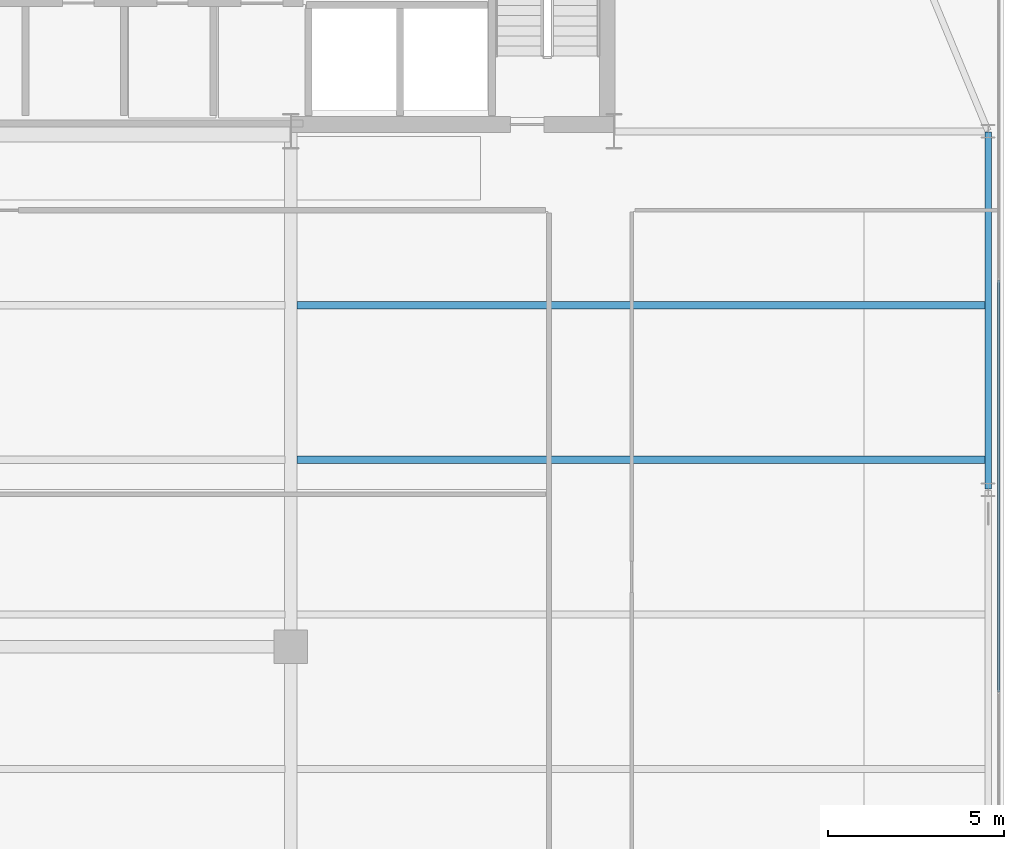
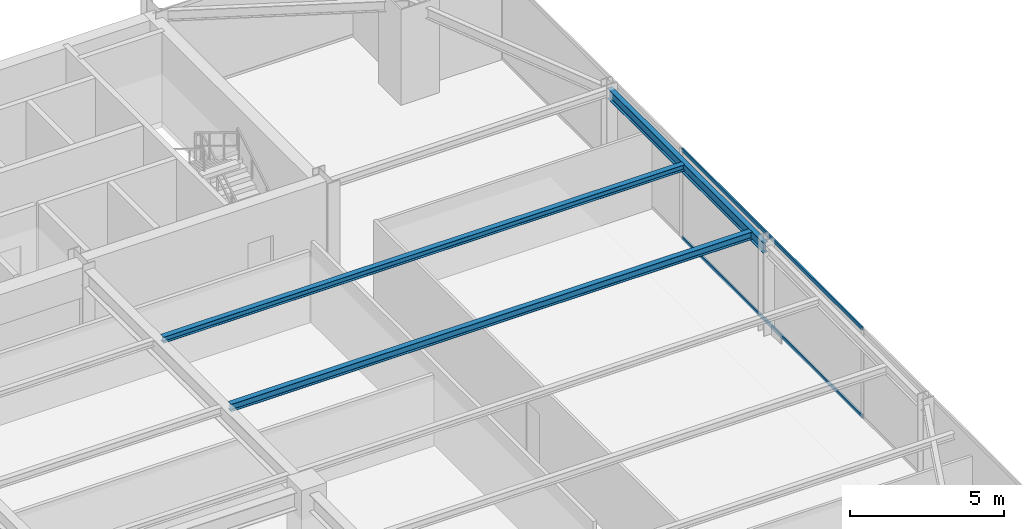
# One storey, part 19 of 34: 3 beams, 2 members, 1 element without a shape of its own.
"""IFC4 building model written with IfcOpenShell, lengths in metres."""

import ifcopenshell
import ifcopenshell.guid

model = None  # the IFC model being written
_history = None  # IfcOwnerHistory: only IFC2X3 demands one
_inside = {}  # id of a spatial element -> (the spatial element, [elements in it])
_under = {}  # id of a project, library or spatial element -> (it, [spatial elements below it])
_declared = {}  # id of a project -> (the project, [libraries it declares])
_typed = {}  # id of a type object -> (the type object, [elements of that type])
_made_of = {}  # id of a material, layer set ... -> (it, [elements and type objects made of it])


def new_model(schema):
    """Start an empty IFC model of exactly this schema.

    Asked for "IFC4X3", IfcOpenShell would pick the latest addendum, in which some entities
    have other attributes; the version numbers below select the first issue.
    IFC2X3 requires an IfcOwnerHistory on every rooted entity: one is made here for all.
    """
    global model, _history
    if schema == "IFC4X3":
        model = ifcopenshell.file(schema_version=(4, 3, 0, 0))
    else:
        model = ifcopenshell.file(schema=schema)
    _inside.clear()
    _under.clear()
    _declared.clear()
    _typed.clear()
    _made_of.clear()
    _history = None
    if model.schema == "IFC2X3":
        org = make("IfcOrganization", Name="unknown")
        user = make(
            "IfcPersonAndOrganization",
            ThePerson=make("IfcPerson", FamilyName="unknown"),
            TheOrganization=org,
        )
        app = make(
            "IfcApplication",
            ApplicationDeveloper=org,
            Version="unknown",
            ApplicationFullName="unknown",
            ApplicationIdentifier="unknown",
        )
        _history = make(
            "IfcOwnerHistory",
            OwningUser=user,
            OwningApplication=app,
            ChangeAction="ADDED",
            CreationDate=0,
        )
    return model


def make(cls, **values):
    """One entity of the class cls with the attributes given. An attribute that is None is left unset."""
    return model.create_entity(
        cls, **{name: value for name, value in values.items() if value is not None}
    )


def rooted(cls, **values):
    """An entity with a GlobalId (a new one), such as an element, a storey or a relation."""
    return make(cls, GlobalId=ifcopenshell.guid.new(), OwnerHistory=_history, **values)


def si_unit(unit_type, name, prefix=None):
    """IfcSIUnit, for example si_unit("LENGTHUNIT", "METRE", prefix="MILLI")."""
    return make("IfcSIUnit", UnitType=unit_type, Prefix=prefix, Name=name)


def assignment(units):
    """IfcUnitAssignment: the units of a project."""
    return None if units is None else make("IfcUnitAssignment", Units=units)


def point(xyz):
    """IfcCartesianPoint."""
    return None if xyz is None else make("IfcCartesianPoint", Coordinates=xyz)


def direction(xyz):
    """IfcDirection."""
    return None if xyz is None else make("IfcDirection", DirectionRatios=xyz)


def frame(location, z_axis=None, x_axis=None):
    """IfcAxis2Placement3D, a coordinate frame: its origin and axes. An axis left out is left unset."""
    return make(
        "IfcAxis2Placement3D",
        Location=point(location),
        Axis=direction(z_axis),
        RefDirection=direction(x_axis),
    )


def frame_2d(location, x_axis=None):
    """IfcAxis2Placement2D, a coordinate frame in the plane: its origin and x axis."""
    return make(
        "IfcAxis2Placement2D", Location=point(location), RefDirection=direction(x_axis)
    )


def origin():
    """The frame at (0, 0, 0) with its axes left unset."""
    return frame((0.0, 0.0, 0.0))


def origin_2d():
    """The frame at (0, 0) in the plane with its x axis left unset."""
    return frame_2d((0.0, 0.0))


def place(relative_to, where):
    """IfcLocalPlacement: puts the frame where relative to a parent placement (None: the world)."""
    return make(
        "IfcLocalPlacement", PlacementRelTo=relative_to, RelativePlacement=where
    )


def context(
    kind, dimensions, precision=None, world=None, true_north=None, identifier=None
):
    """IfcGeometricRepresentationContext, for example the 3D "Model" context."""
    return make(
        "IfcGeometricRepresentationContext",
        ContextIdentifier=identifier,
        ContextType=kind,
        CoordinateSpaceDimension=dimensions,
        Precision=precision,
        WorldCoordinateSystem=world,
        TrueNorth=true_north,
    )


def subcontext(parent, identifier, kind, view, scale=None):
    """IfcGeometricRepresentationSubContext, for example "Body" below "Model"."""
    return make(
        "IfcGeometricRepresentationSubContext",
        ContextIdentifier=identifier,
        ContextType=kind,
        ParentContext=parent,
        TargetScale=scale,
        TargetView=view,
    )


def project(units=None, contexts=None):
    """IfcProject with its units and contexts."""
    return rooted(
        "IfcProject",
        Name="project",
        RepresentationContexts=contexts,
        UnitsInContext=assignment(units),
    )


def spatial(cls, under=None, at=None, **own):
    """A site, building, storey or space (cls), placed at a placement, below another one or the project."""
    s = rooted(cls, ObjectPlacement=at, **own)
    if under is not None:
        _under.setdefault(under.id(), (under, []))[1].append(s)
    return s


def profile(cls, at=None, kind="AREA", **sizes):
    """A parametric profile (cls). Its sizes go by their IFC names, for example OverallWidth=200.0."""
    return make(cls, ProfileType=kind, Position=at, **sizes)


def hollow_rectangle(**sizes):
    """IfcRectangleHollowProfileDef."""
    return profile("IfcRectangleHollowProfileDef", **sizes)


def i_section(**sizes):
    """IfcIShapeProfileDef."""
    return profile("IfcIShapeProfileDef", **sizes)


def extrude(swept, where, along, depth):
    """IfcExtrudedAreaSolid: the profile swept, set in the frame where, extruded along a direction by depth."""
    return make(
        "IfcExtrudedAreaSolid",
        SweptArea=swept,
        Position=where,
        ExtrudedDirection=direction(along),
        Depth=depth,
    )


def shape(context_of_items, identifier, shape_type, items):
    """IfcShapeRepresentation: the items that make up one representation, for example the "Body"."""
    return make(
        "IfcShapeRepresentation",
        ContextOfItems=context_of_items,
        RepresentationIdentifier=identifier,
        RepresentationType=shape_type,
        Items=items,
    )


def source(mapping_origin, context_of_items, identifier, shape_type, items):
    """IfcRepresentationMap: a shape defined once, which mapped items show again and again."""
    return make(
        "IfcRepresentationMap",
        MappingOrigin=mapping_origin,
        MappedRepresentation=shape(context_of_items, identifier, shape_type, items),
    )


def transform(
    local_origin,
    x_axis=None,
    y_axis=None,
    z_axis=None,
    scale=None,
    scale2=None,
    scale3=None,
    uniform=True,
):
    """IfcCartesianTransformationOperator3D, or its non-uniform kind. x_axis, y_axis, z_axis: its Axis1, 2, 3."""
    if uniform:
        return make(
            "IfcCartesianTransformationOperator3D",
            Axis1=direction(x_axis),
            Axis2=direction(y_axis),
            LocalOrigin=point(local_origin),
            Scale=scale,
            Axis3=direction(z_axis),
        )
    return make(
        "IfcCartesianTransformationOperator3DnonUniform",
        Axis1=direction(x_axis),
        Axis2=direction(y_axis),
        LocalOrigin=point(local_origin),
        Scale=scale,
        Axis3=direction(z_axis),
        Scale2=scale2,
        Scale3=scale3,
    )


def mapped(mapping_source, mapping_target):
    """IfcMappedItem: shows the shape of a source again, moved by a transform."""
    return make(
        "IfcMappedItem", MappingSource=mapping_source, MappingTarget=mapping_target
    )


def material(Name=None, Category=None):
    """IfcMaterial."""
    return make("IfcMaterial", Name=Name, Category=Category)


def layer(
    of_material, thickness, ventilated=None, Name=None, Category=None, Priority=None
):
    """IfcMaterialLayer: one layer of a wall or slab, of a material (None: an air gap)."""
    return make(
        "IfcMaterialLayer",
        Material=of_material,
        LayerThickness=thickness,
        IsVentilated=ventilated,
        Name=Name,
        Category=Category,
        Priority=Priority,
    )


def layer_set(layers, Name=None):
    """IfcMaterialLayerSet."""
    return make("IfcMaterialLayerSet", MaterialLayers=layers, LayerSetName=Name)


def material_profile(
    of_material, cross_section, Name=None, Category=None, Priority=None
):
    """IfcMaterialProfile: a cross section and its material."""
    return make(
        "IfcMaterialProfile",
        Name=Name,
        Material=of_material,
        Profile=cross_section,
        Priority=Priority,
        Category=Category,
    )


def profile_set(profiles, Name=None, composite=None):
    """IfcMaterialProfileSet."""
    return make(
        "IfcMaterialProfileSet",
        Name=Name,
        MaterialProfiles=profiles,
        CompositeProfile=composite,
    )


def made_of(thing, what):
    """Note that an element or type object is made of a material, layer set ...; save() writes the relation."""
    if what is not None:
        _made_of.setdefault(what.id(), (what, []))[1].append(thing)
    return thing


def type_object(cls, material=None, **own):
    """A type object (cls), such as IfcWallType, which elements share."""
    return made_of(rooted(cls, **own), material)


def type_shapes(of_type, sources):
    """Give a type object the sources (RepresentationMaps) that its elements show as mapped items."""
    of_type.RepresentationMaps = sources


def element(
    cls,
    number,
    at=None,
    inside=None,
    cuts=None,
    type_object=None,
    material=None,
    context=None,
    identifier="Body",
    shape_type=None,
    held_by="IfcProductDefinitionShape",
    body=None,
    shapes=None,
    **own,
):
    """One element of the class cls, such as IfcWall. Its Tag is "e" and its number.

    at: its placement. inside: the storey or other place that contains it. cuts: it is an
    opening in that element (IfcRelVoidsElement). A single representation is given by context,
    identifier, shape_type and body (its items); several are given by shapes. held_by: the class
    of the entity that holds the representations. save() writes the other relations.
    """
    e = rooted(cls, Tag="e%d" % number, ObjectPlacement=at, **own)
    if body is not None:
        shapes = [shape(context, identifier, shape_type, body)]
    if shapes is not None:
        e.Representation = make(held_by, Representations=shapes)
    if inside is not None:
        _inside.setdefault(inside.id(), (inside, []))[1].append(e)
    if cuts is not None:
        rooted(
            "IfcRelVoidsElement", RelatingBuildingElement=cuts, RelatedOpeningElement=e
        )
    if type_object is not None:
        _typed.setdefault(type_object.id(), (type_object, []))[1].append(e)
    return made_of(e, material)


def aggregate(whole, parts):
    """IfcRelAggregates: a whole, such as a stair, and the parts it consists of."""
    return rooted("IfcRelAggregates", RelatingObject=whole, RelatedObjects=parts)


def save(model, path):
    """Write the relations noted so far, then the file.

    IfcRelAggregates (storeys below a building ...), IfcRelContainedInSpatialStructure (elements
    in a storey), IfcRelDefinesByType, IfcRelAssociatesMaterial and IfcRelDeclares: one each for
    every whole, place, type object, material and project.
    """
    for whole, parts in _under.values():
        aggregate(whole, parts)
    for where, things in _inside.values():
        rooted(
            "IfcRelContainedInSpatialStructure",
            RelatedElements=things,
            RelatingStructure=where,
        )
    for kind, things in _typed.values():
        rooted("IfcRelDefinesByType", RelatedObjects=things, RelatingType=kind)
    for what, things in _made_of.values():
        rooted("IfcRelAssociatesMaterial", RelatedObjects=things, RelatingMaterial=what)
    for by, libraries in _declared.values():
        rooted("IfcRelDeclares", RelatingContext=by, RelatedDefinitions=libraries)
    model.write(path)


model = new_model("IFC4")

# Units and contexts
model_context = context("Model", 3, precision=1e-05, world=origin(), true_north=direction((0.0, 1.0)))
body_context = subcontext(model_context, "Body", "Model", "MODEL_VIEW")
ifc_project = project(units=[si_unit("LENGTHUNIT", "METRE"), si_unit("AREAUNIT", "SQUARE_METRE"), si_unit("VOLUMEUNIT", "CUBIC_METRE"), si_unit("PLANEANGLEUNIT", "RADIAN"), si_unit("MASSUNIT", "GRAM", prefix="KILO")], contexts=[model_context])

# Site, building, storey
site_placement = place(None, origin())
site = spatial("IfcSite", under=ifc_project, at=site_placement, CompositionType="ELEMENT")
building_placement = place(site_placement, origin())
building = spatial("IfcBuilding", under=site, at=building_placement, Name="Varnel Quay Broadcast Tower", CompositionType="ELEMENT")
storey_placement = place(building_placement, frame((0.0, 0.0, 110.60009765625)))
storey = spatial("IfcBuildingStorey", under=building, at=storey_placement, Name="L26", CompositionType="ELEMENT", Elevation=110.60009765625)

# Beams
ifc_material_1 = material(Name="Structural Steel CSA G40.21 350W", Category="steel")
ifc_material_profile_1 = material_profile(ifc_material_1, i_section(OverallWidth=0.180908203125, OverallDepth=0.4169921875, WebThickness=0.010986328125, FlangeThickness=0.018310546875, FilletRadius=0.011962890625, at=origin_2d()), Name="W410X85")
ifc_profile_set_1 = profile_set([ifc_material_profile_1], Name="Structural Steel CSA G40.21 350W")
beam_type_1 = type_object("IfcBeamType", Name="Beam_W410X85", PredefinedType="SPANDREL", material=ifc_profile_set_1)
shared_shape_1 = source(origin(), body_context, "Body", "SweptSolid", [
    extrude(i_section(OverallWidth=0.180908203125, OverallDepth=0.4169921875, WebThickness=0.010986328125, FlangeThickness=0.018310546875, FilletRadius=0.011962890625, at=origin_2d()), origin(), (0.0, 0.0, 1.0), 10.16015625),
])
type_shapes(beam_type_1, [shared_shape_1])
beam_1_placement = place(storey_placement, frame((63.050048828125, 25.419921875, 3.34130859375), z_axis=(0.0, 1.0, 0.0), x_axis=(-1.0, 0.0, 0.0)))
element("IfcBeam", 1, at=beam_1_placement, inside=storey, type_object=beam_type_1, Name="L26 East Spandrel TC-E2-TC-E3", PredefinedType="SPANDREL", context=body_context, shape_type="MappedRepresentation", body=[
    mapped(shared_shape_1, transform((0.0, 0.0, 0.0), x_axis=(1.0, 0.0, 0.0), y_axis=(0.0, 1.0, 0.0), z_axis=(0.0, 0.0, 1.0), scale=1.0)),
])
ifc_material_profile_2 = material_profile(ifc_material_1, i_section(OverallWidth=0.202880859375, OverallDepth=0.302978515625, WebThickness=0.007568359375, FlangeThickness=0.01318359375, FilletRadius=0.011962890625, at=origin_2d()), Name="W310X60")
ifc_profile_set_2 = profile_set([ifc_material_profile_2], Name="Structural Steel CSA G40.21 350W")
beam_type_2 = type_object("IfcBeamType", Name="Beam_W310X60", PredefinedType="JOIST", material=ifc_profile_set_2)
shared_shape_2 = source(origin(), body_context, "Body", "SweptSolid", [
    extrude(i_section(OverallWidth=0.202880859375, OverallDepth=0.302978515625, WebThickness=0.007568359375, FlangeThickness=0.01318359375, FilletRadius=0.011962890625, at=origin_2d()), origin(), (0.0, 0.0, 1.0), 19.592041015625),
])
type_shapes(beam_type_2, [shared_shape_2])
beam_2_placement = place(storey_placement, frame((43.37255859375, 26.25, 3.3984375), z_axis=(1.0, 0.0, 0.0), x_axis=(0.0, 1.0, 0.0)))
element("IfcBeam", 2, at=beam_2_placement, inside=storey, type_object=beam_type_2, Name="L26 East Floor Joist 5", PredefinedType="JOIST", context=body_context, shape_type="MappedRepresentation", body=[
    mapped(shared_shape_2, transform((0.0, 0.0, 0.0), x_axis=(1.0, 0.0, 0.0), y_axis=(0.0, 1.0, 0.0), z_axis=(0.0, 0.0, 1.0), scale=1.0)),
])
ifc_material_profile_3 = material_profile(ifc_material_1, i_section(OverallWidth=0.201904296875, OverallDepth=0.2470703125, WebThickness=0.00732421875, FlangeThickness=0.010986328125, FilletRadius=0.010986328125, at=origin_2d()), Name="W250X49")
ifc_profile_set_3 = profile_set([ifc_material_profile_3], Name="Structural Steel CSA G40.21 350W")
beam_type_3 = type_object("IfcBeamType", Name="Beam_W250X49", PredefinedType="JOIST", material=ifc_profile_set_3)
shared_shape_3 = source(origin(), body_context, "Body", "SweptSolid", [
    extrude(i_section(OverallWidth=0.201904296875, OverallDepth=0.2470703125, WebThickness=0.00732421875, FlangeThickness=0.010986328125, FilletRadius=0.010986328125, at=origin_2d()), origin(), (0.0, 0.0, 1.0), 19.592041015625),
])
type_shapes(beam_type_3, [shared_shape_3])
beam_3_placement = place(storey_placement, frame((43.37255859375, 30.64990234375, 3.426513671875), z_axis=(1.0, 0.0, 0.0), x_axis=(0.0, 1.0, 0.0)))
element("IfcBeam", 3, at=beam_3_placement, inside=storey, type_object=beam_type_3, Name="L26 East Floor Joist 6", PredefinedType="JOIST", context=body_context, shape_type="MappedRepresentation", body=[
    mapped(shared_shape_3, transform((0.0, 0.0, 0.0), x_axis=(1.0, 0.0, 0.0), y_axis=(0.0, 1.0, 0.0), z_axis=(0.0, 0.0, 1.0), scale=1.0)),
])

# Curtain wall, members
ifc_material_2 = material(Name="Anodised Bronze Aluminium 6063-T6", Category="aluminium")
ifc_layer = layer(ifc_material_2, 0.18994140625, Name="Anodised Bronze Aluminium 6063-T6")
ifc_layer_set = layer_set([ifc_layer], Name="Anodised Bronze Aluminium 6063-T6")
curtain_wall_type = type_object("IfcCurtainWallType", Name="CW_LowerTower", PredefinedType="NOTDEFINED", material=ifc_layer_set)
curtain_wall_placement = place(storey_placement, origin())
curtain_wall = element("IfcCurtainWall", 4, at=curtain_wall_placement, inside=storey, type_object=curtain_wall_type, Name="L26 East Unitised Curtain Wall", PredefinedType="NOTDEFINED")
ifc_material_profile_4 = material_profile(ifc_material_2, hollow_rectangle(XDim=0.06005859375, YDim=0.14501953125, WallThickness=0.00341796875, at=origin_2d()), Name="ALU60X145X3.5")
ifc_profile_set_4 = profile_set([ifc_material_profile_4], Name="Anodised Bronze Aluminium 6063-T6")
member_type = type_object("IfcMemberType", Name="Tran_CWS-02", PredefinedType="USERDEFINED", material=ifc_profile_set_4)
shared_shape_4 = source(origin(), body_context, "Body", "SweptSolid", [
    extrude(hollow_rectangle(XDim=0.06005859375, YDim=0.14501953125, WallThickness=0.00341796875, at=origin_2d()), origin(), (0.0, 0.0, 1.0), 11.72998046875),
])
type_shapes(member_type, [shared_shape_4])
member_1_placement = place(storey_placement, frame((63.35009765625, 19.635009765625, 0.02978515625), z_axis=(0.0, 1.0, 0.0), x_axis=(-1.0, 0.0, 0.0)))
member_1 = element("IfcMember", 5, at=member_1_placement, type_object=member_type, Name="CWS-02 transom 2.1", ObjectType="TRANSOM", PredefinedType="USERDEFINED", context=body_context, shape_type="MappedRepresentation", body=[
    mapped(shared_shape_4, transform((0.0, 0.0, 0.0), x_axis=(1.0, 0.0, 0.0), y_axis=(0.0, 1.0, 0.0), z_axis=(0.0, 0.0, 1.0), scale=1.0)),
])
member_2_placement = place(storey_placement, frame((63.35009765625, 19.635009765625, 3.52001953125), z_axis=(0.0, 1.0, 0.0), x_axis=(-1.0, 0.0, 0.0)))
member_2 = element("IfcMember", 6, at=member_2_placement, type_object=member_type, Name="CWS-02 transom 2.2", ObjectType="TRANSOM", PredefinedType="USERDEFINED", context=body_context, shape_type="MappedRepresentation", body=[
    mapped(shared_shape_4, transform((0.0, 0.0, 0.0), x_axis=(1.0, 0.0, 0.0), y_axis=(0.0, 1.0, 0.0), z_axis=(0.0, 0.0, 1.0), scale=1.0)),
])
aggregate(curtain_wall, [member_1, member_2])

save(model, "model.ifc")
